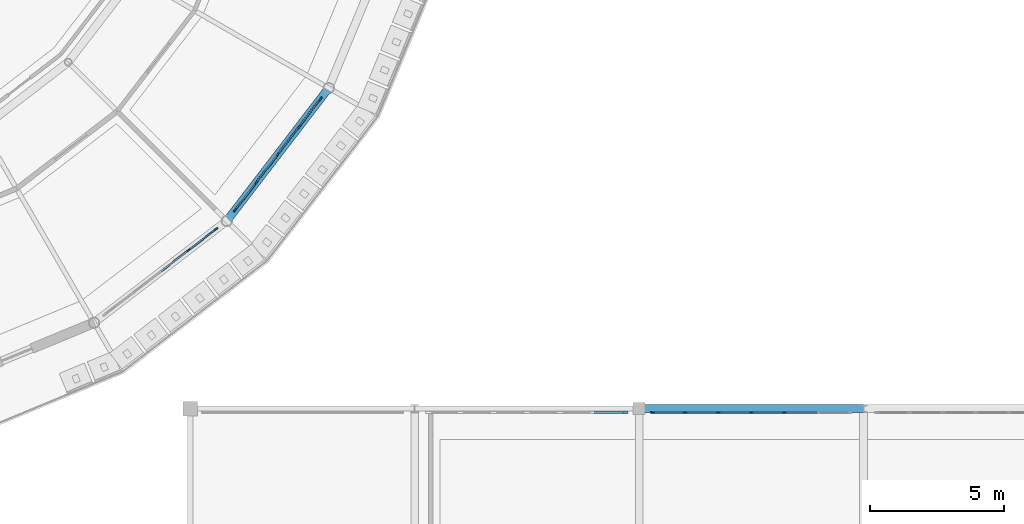
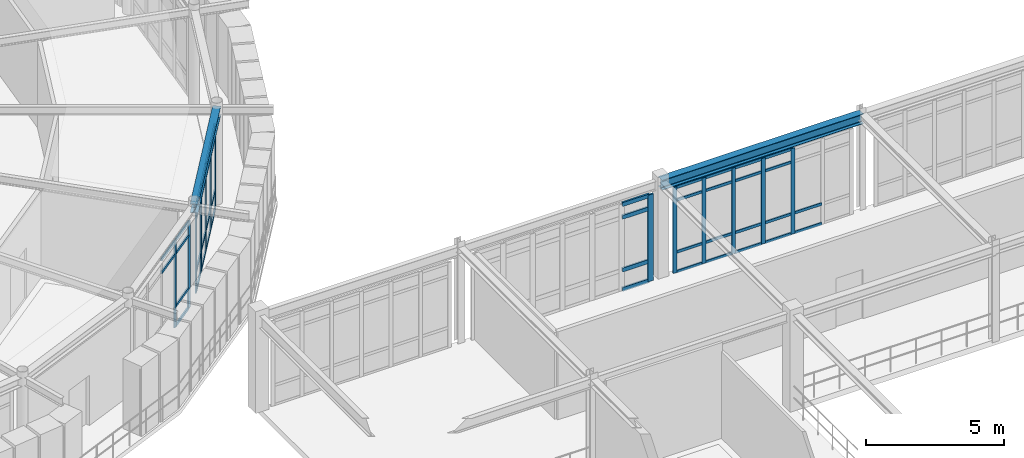
# One storey, part 41 of 106: 57 members, 2 beams, 4 elements without a shape of their own.
"""IFC4 building model written with IfcOpenShell, lengths in metres."""

from ifc_helpers import new_model, si_unit, derived_unit, direction, frame, origin, origin_2d, place, context, subcontext, project, spatial, rectangle, i_section, extrude, material, layer, layer_set, material_profile, profile_set, type_object, element, aggregate, save


model = new_model("IFC4")

# Units and contexts
model_context = context("Model", 3, precision=1e-05, world=origin(), true_north=direction((0.0, 1.0)))
body_context = subcontext(model_context, "Body", "Model", "MODEL_VIEW")
ifc_project = project(units=[si_unit("LENGTHUNIT", "METRE"), si_unit("AREAUNIT", "SQUARE_METRE"), si_unit("VOLUMEUNIT", "CUBIC_METRE"), si_unit("PLANEANGLEUNIT", "RADIAN"), si_unit("MASSUNIT", "GRAM", prefix="KILO"), derived_unit("THERMALTRANSMITTANCEUNIT", [(si_unit("POWERUNIT", "WATT"), 1), (si_unit("AREAUNIT", "SQUARE_METRE"), -1), (si_unit("THERMODYNAMICTEMPERATUREUNIT", "KELVIN"), -1)])], contexts=[model_context])

# Site, building, storey
site_placement = place(None, origin())
site = spatial("IfcSite", under=ifc_project, at=site_placement, CompositionType="ELEMENT")
building_placement = place(site_placement, origin())
building = spatial("IfcBuilding", under=site, at=building_placement, Name="Yasenodar Specialist Clinic", CompositionType="ELEMENT")
storey_placement = place(building_placement, frame((0.0, 0.0, 4.5)))
storey = spatial("IfcBuildingStorey", under=building, at=storey_placement, Name="L01", CompositionType="ELEMENT", Elevation=4.5)

# Beams
ifc_material_1 = material(Name="Steel S355", Category="steel")
ifc_material_profile_1 = material_profile(ifc_material_1, i_section(OverallWidth=0.300048828125, OverallDepth=0.389892578125, WebThickness=0.010986328125, FlangeThickness=0.01904296875, FilletRadius=0.027099609375, at=origin_2d()), Name="HEA 400")
ifc_profile_set_1 = profile_set([ifc_material_profile_1], Name="Steel S355")
beam_type_1 = type_object("IfcBeamType", Name="BM-HEA400", PredefinedType="BEAM", material=ifc_profile_set_1)
beam_1_placement = place(storey_placement, frame((97.970703125, 41.829345703125, 4.054931640625), z_axis=(0.608742360322, 0.793367971845, 0.0), x_axis=(-0.793367971845, 0.608742360322, 0.0)))
element("IfcBeam", 1, at=beam_1_placement, inside=storey, type_object=beam_type_1, Name="L01 Drum V1 Perimeter Ring Beam", PredefinedType="BEAM", context=body_context, shape_type="SweptSolid", body=[
    extrude(i_section(OverallWidth=0.300048828125, OverallDepth=0.389892578125, WebThickness=0.010986328125, FlangeThickness=0.01904296875, FilletRadius=0.027099609375, at=origin_2d()), origin(), (0.0, 0.0, 1.0), 6.265380859375),
])
ifc_material_profile_2 = material_profile(ifc_material_1, i_section(OverallWidth=0.300048828125, OverallDepth=0.43994140625, WebThickness=0.011474609375, FlangeThickness=0.02099609375, FilletRadius=0.027099609375, at=origin_2d()), Name="HEA 450")
ifc_profile_set_2 = profile_set([ifc_material_profile_2], Name="Steel S355")
beam_type_2 = type_object("IfcBeamType", Name="BM-HEA450", PredefinedType="BEAM", material=ifc_profile_set_2)
beam_2_placement = place(storey_placement, frame((113.39990234375, 34.800048828125, 4.030029296875), z_axis=(1.0, 0.0, 0.0), x_axis=(0.0, 1.0, 0.0)))
element("IfcBeam", 2, at=beam_2_placement, inside=storey, type_object=beam_type_2, Name="L01 Primary E-W Girder", PredefinedType="BEAM", context=body_context, shape_type="SweptSolid", body=[
    extrude(i_section(OverallWidth=0.300048828125, OverallDepth=0.43994140625, WebThickness=0.011474609375, FlangeThickness=0.02099609375, FilletRadius=0.027099609375, at=origin_2d()), origin(), (0.0, 0.0, 1.0), 8.400146484375),
])

# Curtain wall, members
ifc_material_2 = material(Name="Bronze Anodized Aluminium and Triple Low-E Glass", Category="aluminium")
ifc_layer_1 = layer(ifc_material_2, 0.1669921875)
ifc_layer_set_1 = layer_set([ifc_layer_1], Name="Bronze Anodized Aluminium and Triple Low-E Glass")
curtain_wall_type_1 = type_object("IfcCurtainWallType", Name="CW-SYS-01", PredefinedType="USERDEFINED", material=ifc_layer_set_1)
curtain_wall_1_placement = place(storey_placement, origin())
curtain_wall_1 = element("IfcCurtainWall", 3, at=curtain_wall_1_placement, inside=storey, type_object=curtain_wall_type_1, Name="L01 Unitised Curtain Wall 023", ObjectType="UNITISED CURTAIN WALL", PredefinedType="USERDEFINED")
ifc_material_3 = material(Name="Bronze Anodized Aluminium", Category="aluminium")
ifc_material_profile_3 = material_profile(ifc_material_3, rectangle(XDim=0.06005859375, YDim=0.159912109375, at=origin_2d()), Name="CW-MULL 60x160")
ifc_profile_set_3 = profile_set([ifc_material_profile_3], Name="Bronze Anodized Aluminium")
member_type_1 = type_object("IfcMemberType", Name="CW-MULL-160", PredefinedType="MULLION", material=ifc_profile_set_3)
member_1_placement = place(storey_placement, frame((97.56591796875, 41.51904296875, 0.0), z_axis=(0.0, 0.0, 1.0), x_axis=(0.608752021844, -0.793360558574, 0.0)))
member_1 = element("IfcMember", 4, at=member_1_placement, type_object=member_type_1, Name="CW-01 mullion 1", PredefinedType="MULLION", context=body_context, shape_type="SweptSolid", body=[
    extrude(rectangle(XDim=0.06005859375, YDim=0.159912109375, at=origin_2d()), origin(), (0.0, 0.0, 1.0), 3.837890625),
])
member_2_placement = place(storey_placement, frame((96.53759765625, 40.729736328125, 0.0), z_axis=(0.0, 0.0, 1.0), x_axis=(0.608752021844, -0.793360558574, 0.0)))
member_2 = element("IfcMember", 5, at=member_2_placement, type_object=member_type_1, Name="CW-01 mullion 2", PredefinedType="MULLION", context=body_context, shape_type="SweptSolid", body=[
    extrude(rectangle(XDim=0.06005859375, YDim=0.159912109375, at=origin_2d()), origin(), (0.0, 0.0, 1.0), 3.837890625),
])

curtain_wall_2_placement = place(storey_placement, origin())
curtain_wall_2 = element("IfcCurtainWall", 6, at=curtain_wall_2_placement, inside=storey, type_object=curtain_wall_type_1, Name="L01 Unitised Curtain Wall 024", ObjectType="UNITISED CURTAIN WALL", PredefinedType="USERDEFINED")
member_3_placement = place(storey_placement, frame((101.47412109375, 46.3955078125, 0.0), z_axis=(0.0, 0.0, 1.0), x_axis=(0.793360558574, -0.608752021844, 0.0)))
member_3 = element("IfcMember", 7, at=member_3_placement, type_object=member_type_1, Name="CW-01 mullion 1", PredefinedType="MULLION", context=body_context, shape_type="SweptSolid", body=[
    extrude(rectangle(XDim=0.06005859375, YDim=0.159912109375, at=origin_2d()), origin(), (0.0, 0.0, 1.0), 3.837890625),
])
member_4_placement = place(storey_placement, frame((100.68505859375, 45.366943359375, 0.0), z_axis=(0.0, 0.0, 1.0), x_axis=(0.793360558574, -0.608752021844, 0.0)))
member_4 = element("IfcMember", 8, at=member_4_placement, type_object=member_type_1, Name="CW-01 mullion 2", PredefinedType="MULLION", context=body_context, shape_type="SweptSolid", body=[
    extrude(rectangle(XDim=0.06005859375, YDim=0.159912109375, at=origin_2d()), origin(), (0.0, 0.0, 1.0), 3.837890625),
])
member_5_placement = place(storey_placement, frame((99.877685546875, 44.314697265625, 0.0), z_axis=(0.0, 0.0, 1.0), x_axis=(0.793360558574, -0.608752021844, 0.0)))
member_5 = element("IfcMember", 9, at=member_5_placement, type_object=member_type_1, Name="CW-01 mullion 3", PredefinedType="MULLION", context=body_context, shape_type="SweptSolid", body=[
    extrude(rectangle(XDim=0.06005859375, YDim=0.159912109375, at=origin_2d()), origin(), (0.0, 0.0, 1.0), 3.837890625),
])
member_6_placement = place(storey_placement, frame((99.0703125, 43.262451171875, 0.0), z_axis=(0.0, 0.0, 1.0), x_axis=(0.793360558574, -0.608752021844, 0.0)))
member_6 = element("IfcMember", 10, at=member_6_placement, type_object=member_type_1, Name="CW-01 mullion 4", PredefinedType="MULLION", context=body_context, shape_type="SweptSolid", body=[
    extrude(rectangle(XDim=0.06005859375, YDim=0.159912109375, at=origin_2d()), origin(), (0.0, 0.0, 1.0), 3.837890625),
])
member_7_placement = place(storey_placement, frame((98.281005859375, 42.23388671875, 0.0), z_axis=(0.0, 0.0, 1.0), x_axis=(0.793360558574, -0.608752021844, 0.0)))
member_7 = element("IfcMember", 11, at=member_7_placement, type_object=member_type_1, Name="CW-01 mullion 5", PredefinedType="MULLION", context=body_context, shape_type="SweptSolid", body=[
    extrude(rectangle(XDim=0.06005859375, YDim=0.159912109375, at=origin_2d()), origin(), (0.0, 0.0, 1.0), 3.837890625),
])

ifc_layer_2 = layer(ifc_material_2, 0.178955078125)
ifc_layer_set_2 = layer_set([ifc_layer_2], Name="Bronze Anodized Aluminium and Triple Low-E Glass")
curtain_wall_type_2 = type_object("IfcCurtainWallType", Name="CW-SYS-02", PredefinedType="USERDEFINED", material=ifc_layer_set_2)
curtain_wall_3_placement = place(storey_placement, origin())
curtain_wall_3 = element("IfcCurtainWall", 12, at=curtain_wall_3_placement, inside=storey, type_object=curtain_wall_type_2, Name="L01 Unitised Curtain Wall 096", ObjectType="UNITISED CURTAIN WALL", PredefinedType="USERDEFINED")
member_8_placement = place(storey_placement, frame((113.909912109375, 34.64990234375, 0.0), z_axis=(0.0, 0.0, 1.0), x_axis=(0.0, 1.0, 0.0)))
member_8 = element("IfcMember", 13, at=member_8_placement, type_object=member_type_1, Name="CW-02 mullion 1", PredefinedType="MULLION", context=body_context, shape_type="SweptSolid", body=[
    extrude(rectangle(XDim=0.06005859375, YDim=0.159912109375, at=origin_2d()), origin(), (0.0, 0.0, 1.0), 3.7880859375),
])
member_9_placement = place(storey_placement, frame((115.1201171875, 34.64990234375, 0.0), z_axis=(0.0, 0.0, 1.0), x_axis=(0.0, 1.0, 0.0)))
member_9 = element("IfcMember", 14, at=member_9_placement, type_object=member_type_1, Name="CW-02 mullion 2", PredefinedType="MULLION", context=body_context, shape_type="SweptSolid", body=[
    extrude(rectangle(XDim=0.06005859375, YDim=0.159912109375, at=origin_2d()), origin(), (0.0, 0.0, 1.0), 3.7880859375),
])
member_10_placement = place(storey_placement, frame((116.360107421875, 34.64990234375, 0.0), z_axis=(0.0, 0.0, 1.0), x_axis=(0.0, 1.0, 0.0)))
member_10 = element("IfcMember", 15, at=member_10_placement, type_object=member_type_1, Name="CW-02 mullion 3", PredefinedType="MULLION", context=body_context, shape_type="SweptSolid", body=[
    extrude(rectangle(XDim=0.06005859375, YDim=0.159912109375, at=origin_2d()), origin(), (0.0, 0.0, 1.0), 3.7880859375),
])
member_11_placement = place(storey_placement, frame((117.60009765625, 34.64990234375, 0.0), z_axis=(0.0, 0.0, 1.0), x_axis=(0.0, 1.0, 0.0)))
member_11 = element("IfcMember", 16, at=member_11_placement, type_object=member_type_1, Name="CW-02 mullion 4", PredefinedType="MULLION", context=body_context, shape_type="SweptSolid", body=[
    extrude(rectangle(XDim=0.06005859375, YDim=0.159912109375, at=origin_2d()), origin(), (0.0, 0.0, 1.0), 3.7880859375),
])
member_12_placement = place(storey_placement, frame((118.840087890625, 34.64990234375, 0.0), z_axis=(0.0, 0.0, 1.0), x_axis=(0.0, 1.0, 0.0)))
member_12 = element("IfcMember", 17, at=member_12_placement, type_object=member_type_1, Name="CW-02 mullion 5", PredefinedType="MULLION", context=body_context, shape_type="SweptSolid", body=[
    extrude(rectangle(XDim=0.06005859375, YDim=0.159912109375, at=origin_2d()), origin(), (0.0, 0.0, 1.0), 3.7880859375),
])

# Curtain wall, member
curtain_wall_4_placement = place(storey_placement, origin())
curtain_wall_4 = element("IfcCurtainWall", 18, at=curtain_wall_4_placement, inside=storey, type_object=curtain_wall_type_2, Name="L01 Unitised Curtain Wall 095", ObjectType="UNITISED CURTAIN WALL", PredefinedType="USERDEFINED")
ifc_material_profile_4 = material_profile(ifc_material_3, rectangle(XDim=0.074951171875, YDim=0.22509765625, at=origin_2d()), Name="CW-MULL 75x225")
ifc_profile_set_4 = profile_set([ifc_material_profile_4], Name="Bronze Anodized Aluminium")
member_type_2 = type_object("IfcMemberType", Name="CW-MULL-225", PredefinedType="MULLION", material=ifc_profile_set_4)
member_13_placement = place(storey_placement, frame((112.882568359375, 34.64990234375, 0.0), z_axis=(0.0, 0.0, 1.0), x_axis=(0.0, 1.0, 0.0)))
member_13 = element("IfcMember", 19, at=member_13_placement, type_object=member_type_2, Name="CW-02 mullion 7", PredefinedType="MULLION", context=body_context, shape_type="SweptSolid", body=[
    extrude(rectangle(XDim=0.074951171875, YDim=0.22509765625, at=origin_2d()), origin(), (0.0, 0.0, 1.0), 3.827880859375),
])

# Member
ifc_material_profile_5 = material_profile(ifc_material_3, rectangle(XDim=0.06005859375, YDim=0.1201171875, at=origin_2d()), Name="CW-TRAN 60x120")
ifc_profile_set_5 = profile_set([ifc_material_profile_5], Name="Bronze Anodized Aluminium")
member_type_3 = type_object("IfcMemberType", Name="CW-TRAN-120", PredefinedType="USERDEFINED", material=ifc_profile_set_5)
member_14_placement = place(storey_placement, frame((97.542236328125, 41.500732421875, 0.030029296875), z_axis=(-0.793364768151, -0.608746535642, 0.0), x_axis=(0.608746535642, -0.793364768151, 0.0)))
member_14 = element("IfcMember", 20, at=member_14_placement, type_object=member_type_3, Name="CW-01 transom 1.1", ObjectType="TRANSOM", PredefinedType="USERDEFINED", context=body_context, shape_type="SweptSolid", body=[
    extrude(rectangle(XDim=0.06005859375, YDim=0.1201171875, at=origin_2d()), origin(), (0.0, 0.0, 1.0), 1.236572265625),
])

member_15_placement = place(storey_placement, frame((97.542236328125, 41.500732421875, 0.89990234375), z_axis=(-0.793364768151, -0.608746535642, 0.0), x_axis=(0.608746535642, -0.793364768151, 0.0)))
member_15 = element("IfcMember", 21, at=member_15_placement, type_object=member_type_3, Name="CW-01 transom 1.2", ObjectType="TRANSOM", PredefinedType="USERDEFINED", context=body_context, shape_type="SweptSolid", body=[
    extrude(rectangle(XDim=0.06005859375, YDim=0.1201171875, at=origin_2d()), origin(), (0.0, 0.0, 1.0), 1.236572265625),
])

member_16_placement = place(storey_placement, frame((97.542236328125, 41.500732421875, 3.238037109375), z_axis=(-0.793364768151, -0.608746535642, 0.0), x_axis=(0.608746535642, -0.793364768151, 0.0)))
member_16 = element("IfcMember", 22, at=member_16_placement, type_object=member_type_3, Name="CW-01 transom 1.3", ObjectType="TRANSOM", PredefinedType="USERDEFINED", context=body_context, shape_type="SweptSolid", body=[
    extrude(rectangle(XDim=0.06005859375, YDim=0.1201171875, at=origin_2d()), origin(), (0.0, 0.0, 1.0), 1.236572265625),
])

member_17_placement = place(storey_placement, frame((97.542236328125, 41.500732421875, 3.80810546875), z_axis=(-0.793364768151, -0.608746535642, 0.0), x_axis=(0.608746535642, -0.793364768151, 0.0)))
member_17 = element("IfcMember", 23, at=member_17_placement, type_object=member_type_3, Name="CW-01 transom 1.4", ObjectType="TRANSOM", PredefinedType="USERDEFINED", context=body_context, shape_type="SweptSolid", body=[
    extrude(rectangle(XDim=0.06005859375, YDim=0.1201171875, at=origin_2d()), origin(), (0.0, 0.0, 1.0), 1.236572265625),
])

member_18_placement = place(storey_placement, frame((96.513671875, 40.71142578125, 3.238037109375), z_axis=(-0.793404604701, -0.608694614104, 0.0), x_axis=(0.608694614104, -0.793404604701, 0.0)))
member_18 = element("IfcMember", 24, at=member_18_placement, type_object=member_type_3, Name="CW-01 transom 2.3", ObjectType="TRANSOM", PredefinedType="USERDEFINED", context=body_context, shape_type="SweptSolid", body=[
    extrude(rectangle(XDim=0.06005859375, YDim=0.1201171875, at=origin_2d()), origin(), (0.0, 0.0, 1.0), 1.266357421875),
])

member_19_placement = place(storey_placement, frame((96.513671875, 40.71142578125, 3.80810546875), z_axis=(-0.793404604701, -0.608694614104, 0.0), x_axis=(0.608694614104, -0.793404604701, 0.0)))
member_19 = element("IfcMember", 25, at=member_19_placement, type_object=member_type_3, Name="CW-01 transom 2.4", ObjectType="TRANSOM", PredefinedType="USERDEFINED", context=body_context, shape_type="SweptSolid", body=[
    extrude(rectangle(XDim=0.06005859375, YDim=0.1201171875, at=origin_2d()), origin(), (0.0, 0.0, 1.0), 1.266357421875),
])

aggregate(curtain_wall_1, [member_1, member_2, member_14, member_15, member_16, member_17, member_18, member_19])

member_20_placement = place(storey_placement, frame((101.455810546875, 46.37158203125, 0.030029296875), z_axis=(-0.608717606417, -0.793386964626, 0.0), x_axis=(0.793386964626, -0.608717606417, 0.0)))
member_20 = element("IfcMember", 26, at=member_20_placement, type_object=member_type_3, Name="CW-01 transom 1.1", ObjectType="TRANSOM", PredefinedType="USERDEFINED", context=body_context, shape_type="SweptSolid", body=[
    extrude(rectangle(XDim=0.06005859375, YDim=0.1201171875, at=origin_2d()), origin(), (0.0, 0.0, 1.0), 1.236083984375),
])

member_21_placement = place(storey_placement, frame((101.455810546875, 46.37158203125, 0.89990234375), z_axis=(-0.608717606417, -0.793386964626, 0.0), x_axis=(0.793386964626, -0.608717606417, 0.0)))
member_21 = element("IfcMember", 27, at=member_21_placement, type_object=member_type_3, Name="CW-01 transom 1.2", ObjectType="TRANSOM", PredefinedType="USERDEFINED", context=body_context, shape_type="SweptSolid", body=[
    extrude(rectangle(XDim=0.06005859375, YDim=0.1201171875, at=origin_2d()), origin(), (0.0, 0.0, 1.0), 1.236083984375),
])

member_22_placement = place(storey_placement, frame((101.455810546875, 46.37158203125, 3.238037109375), z_axis=(-0.608717606417, -0.793386964626, 0.0), x_axis=(0.793386964626, -0.608717606417, 0.0)))
member_22 = element("IfcMember", 28, at=member_22_placement, type_object=member_type_3, Name="CW-01 transom 1.3", ObjectType="TRANSOM", PredefinedType="USERDEFINED", context=body_context, shape_type="SweptSolid", body=[
    extrude(rectangle(XDim=0.06005859375, YDim=0.1201171875, at=origin_2d()), origin(), (0.0, 0.0, 1.0), 1.236083984375),
])

member_23_placement = place(storey_placement, frame((101.455810546875, 46.37158203125, 3.80810546875), z_axis=(-0.608717606417, -0.793386964626, 0.0), x_axis=(0.793386964626, -0.608717606417, 0.0)))
member_23 = element("IfcMember", 29, at=member_23_placement, type_object=member_type_3, Name="CW-01 transom 1.4", ObjectType="TRANSOM", PredefinedType="USERDEFINED", context=body_context, shape_type="SweptSolid", body=[
    extrude(rectangle(XDim=0.06005859375, YDim=0.1201171875, at=origin_2d()), origin(), (0.0, 0.0, 1.0), 1.236083984375),
])

member_24_placement = place(storey_placement, frame((100.666748046875, 45.34326171875, 0.030029296875), z_axis=(-0.608722862036, -0.793382932281, 0.0), x_axis=(0.793382932281, -0.608722862036, 0.0)))
member_24 = element("IfcMember", 30, at=member_24_placement, type_object=member_type_3, Name="CW-01 transom 2.1", ObjectType="TRANSOM", PredefinedType="USERDEFINED", context=body_context, shape_type="SweptSolid", body=[
    extrude(rectangle(XDim=0.06005859375, YDim=0.1201171875, at=origin_2d()), origin(), (0.0, 0.0, 1.0), 1.2666015625),
])

member_25_placement = place(storey_placement, frame((100.666748046875, 45.34326171875, 0.89990234375), z_axis=(-0.608722862036, -0.793382932281, 0.0), x_axis=(0.793382932281, -0.608722862036, 0.0)))
member_25 = element("IfcMember", 31, at=member_25_placement, type_object=member_type_3, Name="CW-01 transom 2.2", ObjectType="TRANSOM", PredefinedType="USERDEFINED", context=body_context, shape_type="SweptSolid", body=[
    extrude(rectangle(XDim=0.06005859375, YDim=0.1201171875, at=origin_2d()), origin(), (0.0, 0.0, 1.0), 1.2666015625),
])

member_26_placement = place(storey_placement, frame((100.666748046875, 45.34326171875, 3.238037109375), z_axis=(-0.608722862036, -0.793382932281, 0.0), x_axis=(0.793382932281, -0.608722862036, 0.0)))
member_26 = element("IfcMember", 32, at=member_26_placement, type_object=member_type_3, Name="CW-01 transom 2.3", ObjectType="TRANSOM", PredefinedType="USERDEFINED", context=body_context, shape_type="SweptSolid", body=[
    extrude(rectangle(XDim=0.06005859375, YDim=0.1201171875, at=origin_2d()), origin(), (0.0, 0.0, 1.0), 1.2666015625),
])

member_27_placement = place(storey_placement, frame((100.666748046875, 45.34326171875, 3.80810546875), z_axis=(-0.608722862036, -0.793382932281, 0.0), x_axis=(0.793382932281, -0.608722862036, 0.0)))
member_27 = element("IfcMember", 33, at=member_27_placement, type_object=member_type_3, Name="CW-01 transom 2.4", ObjectType="TRANSOM", PredefinedType="USERDEFINED", context=body_context, shape_type="SweptSolid", body=[
    extrude(rectangle(XDim=0.06005859375, YDim=0.1201171875, at=origin_2d()), origin(), (0.0, 0.0, 1.0), 1.2666015625),
])

member_28_placement = place(storey_placement, frame((99.859375, 44.291015625, 0.030029296875), z_axis=(-0.608722862036, -0.793382932281, 0.0), x_axis=(0.793382932281, -0.608722862036, 0.0)))
member_28 = element("IfcMember", 34, at=member_28_placement, type_object=member_type_3, Name="CW-01 transom 3.1", ObjectType="TRANSOM", PredefinedType="USERDEFINED", context=body_context, shape_type="SweptSolid", body=[
    extrude(rectangle(XDim=0.06005859375, YDim=0.1201171875, at=origin_2d()), origin(), (0.0, 0.0, 1.0), 1.2666015625),
])

member_29_placement = place(storey_placement, frame((99.859375, 44.291015625, 0.89990234375), z_axis=(-0.608722862036, -0.793382932281, 0.0), x_axis=(0.793382932281, -0.608722862036, 0.0)))
member_29 = element("IfcMember", 35, at=member_29_placement, type_object=member_type_3, Name="CW-01 transom 3.2", ObjectType="TRANSOM", PredefinedType="USERDEFINED", context=body_context, shape_type="SweptSolid", body=[
    extrude(rectangle(XDim=0.06005859375, YDim=0.1201171875, at=origin_2d()), origin(), (0.0, 0.0, 1.0), 1.2666015625),
])

member_30_placement = place(storey_placement, frame((99.859375, 44.291015625, 3.238037109375), z_axis=(-0.608722862036, -0.793382932281, 0.0), x_axis=(0.793382932281, -0.608722862036, 0.0)))
member_30 = element("IfcMember", 36, at=member_30_placement, type_object=member_type_3, Name="CW-01 transom 3.3", ObjectType="TRANSOM", PredefinedType="USERDEFINED", context=body_context, shape_type="SweptSolid", body=[
    extrude(rectangle(XDim=0.06005859375, YDim=0.1201171875, at=origin_2d()), origin(), (0.0, 0.0, 1.0), 1.2666015625),
])

member_31_placement = place(storey_placement, frame((99.859375, 44.291015625, 3.80810546875), z_axis=(-0.608722862036, -0.793382932281, 0.0), x_axis=(0.793382932281, -0.608722862036, 0.0)))
member_31 = element("IfcMember", 37, at=member_31_placement, type_object=member_type_3, Name="CW-01 transom 3.4", ObjectType="TRANSOM", PredefinedType="USERDEFINED", context=body_context, shape_type="SweptSolid", body=[
    extrude(rectangle(XDim=0.06005859375, YDim=0.1201171875, at=origin_2d()), origin(), (0.0, 0.0, 1.0), 1.2666015625),
])

member_32_placement = place(storey_placement, frame((99.052001953125, 43.23876953125, 0.030029296875), z_axis=(-0.608746535642, -0.793364768151, 0.0), x_axis=(0.793364768151, -0.608746535642, 0.0)))
member_32 = element("IfcMember", 38, at=member_32_placement, type_object=member_type_3, Name="CW-01 transom 4.1", ObjectType="TRANSOM", PredefinedType="USERDEFINED", context=body_context, shape_type="SweptSolid", body=[
    extrude(rectangle(XDim=0.06005859375, YDim=0.1201171875, at=origin_2d()), origin(), (0.0, 0.0, 1.0), 1.236572265625),
])

member_33_placement = place(storey_placement, frame((99.052001953125, 43.23876953125, 0.89990234375), z_axis=(-0.608746535642, -0.793364768151, 0.0), x_axis=(0.793364768151, -0.608746535642, 0.0)))
member_33 = element("IfcMember", 39, at=member_33_placement, type_object=member_type_3, Name="CW-01 transom 4.2", ObjectType="TRANSOM", PredefinedType="USERDEFINED", context=body_context, shape_type="SweptSolid", body=[
    extrude(rectangle(XDim=0.06005859375, YDim=0.1201171875, at=origin_2d()), origin(), (0.0, 0.0, 1.0), 1.236572265625),
])

member_34_placement = place(storey_placement, frame((99.052001953125, 43.23876953125, 3.238037109375), z_axis=(-0.608746535642, -0.793364768151, 0.0), x_axis=(0.793364768151, -0.608746535642, 0.0)))
member_34 = element("IfcMember", 40, at=member_34_placement, type_object=member_type_3, Name="CW-01 transom 4.3", ObjectType="TRANSOM", PredefinedType="USERDEFINED", context=body_context, shape_type="SweptSolid", body=[
    extrude(rectangle(XDim=0.06005859375, YDim=0.1201171875, at=origin_2d()), origin(), (0.0, 0.0, 1.0), 1.236572265625),
])

member_35_placement = place(storey_placement, frame((99.052001953125, 43.23876953125, 3.80810546875), z_axis=(-0.608746535642, -0.793364768151, 0.0), x_axis=(0.793364768151, -0.608746535642, 0.0)))
member_35 = element("IfcMember", 41, at=member_35_placement, type_object=member_type_3, Name="CW-01 transom 4.4", ObjectType="TRANSOM", PredefinedType="USERDEFINED", context=body_context, shape_type="SweptSolid", body=[
    extrude(rectangle(XDim=0.06005859375, YDim=0.1201171875, at=origin_2d()), origin(), (0.0, 0.0, 1.0), 1.236572265625),
])

aggregate(curtain_wall_2, [member_3, member_4, member_5, member_6, member_7, member_20, member_21, member_22, member_23, member_24, member_25, member_26, member_27, member_28, member_29, member_30, member_31, member_32, member_33, member_34, member_35])

member_36_placement = place(storey_placement, frame((113.93994140625, 34.64990234375, 0.030029296875), z_axis=(1.0, 0.0, 0.0), x_axis=(0.0, 1.0, 0.0)))
member_36 = element("IfcMember", 42, at=member_36_placement, type_object=member_type_3, Name="CW-02 transom 1.1", ObjectType="TRANSOM", PredefinedType="USERDEFINED", context=body_context, shape_type="SweptSolid", body=[
    extrude(rectangle(XDim=0.06005859375, YDim=0.1201171875, at=origin_2d()), origin(), (0.0, 0.0, 1.0), 1.150146484375),
])

member_37_placement = place(storey_placement, frame((113.93994140625, 34.64990234375, 0.89990234375), z_axis=(1.0, 0.0, 0.0), x_axis=(0.0, 1.0, 0.0)))
member_37 = element("IfcMember", 43, at=member_37_placement, type_object=member_type_3, Name="CW-02 transom 1.2", ObjectType="TRANSOM", PredefinedType="USERDEFINED", context=body_context, shape_type="SweptSolid", body=[
    extrude(rectangle(XDim=0.06005859375, YDim=0.1201171875, at=origin_2d()), origin(), (0.0, 0.0, 1.0), 1.150146484375),
])

member_38_placement = place(storey_placement, frame((113.93994140625, 34.64990234375, 3.18798828125), z_axis=(1.0, 0.0, 0.0), x_axis=(0.0, 1.0, 0.0)))
member_38 = element("IfcMember", 44, at=member_38_placement, type_object=member_type_3, Name="CW-02 transom 1.3", ObjectType="TRANSOM", PredefinedType="USERDEFINED", context=body_context, shape_type="SweptSolid", body=[
    extrude(rectangle(XDim=0.06005859375, YDim=0.1201171875, at=origin_2d()), origin(), (0.0, 0.0, 1.0), 1.150146484375),
])

member_39_placement = place(storey_placement, frame((113.93994140625, 34.64990234375, 3.758056640625), z_axis=(1.0, 0.0, 0.0), x_axis=(0.0, 1.0, 0.0)))
member_39 = element("IfcMember", 45, at=member_39_placement, type_object=member_type_3, Name="CW-02 transom 1.4", ObjectType="TRANSOM", PredefinedType="USERDEFINED", context=body_context, shape_type="SweptSolid", body=[
    extrude(rectangle(XDim=0.06005859375, YDim=0.1201171875, at=origin_2d()), origin(), (0.0, 0.0, 1.0), 1.150146484375),
])

member_40_placement = place(storey_placement, frame((115.14990234375, 34.64990234375, 0.030029296875), z_axis=(1.0, 0.0, 0.0), x_axis=(0.0, 1.0, 0.0)))
member_40 = element("IfcMember", 46, at=member_40_placement, type_object=member_type_3, Name="CW-02 transom 2.1", ObjectType="TRANSOM", PredefinedType="USERDEFINED", context=body_context, shape_type="SweptSolid", body=[
    extrude(rectangle(XDim=0.06005859375, YDim=0.1201171875, at=origin_2d()), origin(), (0.0, 0.0, 1.0), 1.18017578125),
])

member_41_placement = place(storey_placement, frame((115.14990234375, 34.64990234375, 0.89990234375), z_axis=(1.0, 0.0, 0.0), x_axis=(0.0, 1.0, 0.0)))
member_41 = element("IfcMember", 47, at=member_41_placement, type_object=member_type_3, Name="CW-02 transom 2.2", ObjectType="TRANSOM", PredefinedType="USERDEFINED", context=body_context, shape_type="SweptSolid", body=[
    extrude(rectangle(XDim=0.06005859375, YDim=0.1201171875, at=origin_2d()), origin(), (0.0, 0.0, 1.0), 1.18017578125),
])

member_42_placement = place(storey_placement, frame((115.14990234375, 34.64990234375, 3.18798828125), z_axis=(1.0, 0.0, 0.0), x_axis=(0.0, 1.0, 0.0)))
member_42 = element("IfcMember", 48, at=member_42_placement, type_object=member_type_3, Name="CW-02 transom 2.3", ObjectType="TRANSOM", PredefinedType="USERDEFINED", context=body_context, shape_type="SweptSolid", body=[
    extrude(rectangle(XDim=0.06005859375, YDim=0.1201171875, at=origin_2d()), origin(), (0.0, 0.0, 1.0), 1.18017578125),
])

member_43_placement = place(storey_placement, frame((115.14990234375, 34.64990234375, 3.758056640625), z_axis=(1.0, 0.0, 0.0), x_axis=(0.0, 1.0, 0.0)))
member_43 = element("IfcMember", 49, at=member_43_placement, type_object=member_type_3, Name="CW-02 transom 2.4", ObjectType="TRANSOM", PredefinedType="USERDEFINED", context=body_context, shape_type="SweptSolid", body=[
    extrude(rectangle(XDim=0.06005859375, YDim=0.1201171875, at=origin_2d()), origin(), (0.0, 0.0, 1.0), 1.18017578125),
])

member_44_placement = place(storey_placement, frame((116.389892578125, 34.64990234375, 0.030029296875), z_axis=(1.0, 0.0, 0.0), x_axis=(0.0, 1.0, 0.0)))
member_44 = element("IfcMember", 50, at=member_44_placement, type_object=member_type_3, Name="CW-02 transom 3.1", ObjectType="TRANSOM", PredefinedType="USERDEFINED", context=body_context, shape_type="SweptSolid", body=[
    extrude(rectangle(XDim=0.06005859375, YDim=0.1201171875, at=origin_2d()), origin(), (0.0, 0.0, 1.0), 1.18017578125),
])

member_45_placement = place(storey_placement, frame((116.389892578125, 34.64990234375, 0.89990234375), z_axis=(1.0, 0.0, 0.0), x_axis=(0.0, 1.0, 0.0)))
member_45 = element("IfcMember", 51, at=member_45_placement, type_object=member_type_3, Name="CW-02 transom 3.2", ObjectType="TRANSOM", PredefinedType="USERDEFINED", context=body_context, shape_type="SweptSolid", body=[
    extrude(rectangle(XDim=0.06005859375, YDim=0.1201171875, at=origin_2d()), origin(), (0.0, 0.0, 1.0), 1.18017578125),
])

member_46_placement = place(storey_placement, frame((116.389892578125, 34.64990234375, 3.18798828125), z_axis=(1.0, 0.0, 0.0), x_axis=(0.0, 1.0, 0.0)))
member_46 = element("IfcMember", 52, at=member_46_placement, type_object=member_type_3, Name="CW-02 transom 3.3", ObjectType="TRANSOM", PredefinedType="USERDEFINED", context=body_context, shape_type="SweptSolid", body=[
    extrude(rectangle(XDim=0.06005859375, YDim=0.1201171875, at=origin_2d()), origin(), (0.0, 0.0, 1.0), 1.18017578125),
])

member_47_placement = place(storey_placement, frame((116.389892578125, 34.64990234375, 3.758056640625), z_axis=(1.0, 0.0, 0.0), x_axis=(0.0, 1.0, 0.0)))
member_47 = element("IfcMember", 53, at=member_47_placement, type_object=member_type_3, Name="CW-02 transom 3.4", ObjectType="TRANSOM", PredefinedType="USERDEFINED", context=body_context, shape_type="SweptSolid", body=[
    extrude(rectangle(XDim=0.06005859375, YDim=0.1201171875, at=origin_2d()), origin(), (0.0, 0.0, 1.0), 1.18017578125),
])

member_48_placement = place(storey_placement, frame((117.6298828125, 34.64990234375, 0.030029296875), z_axis=(1.0, 0.0, 0.0), x_axis=(0.0, 1.0, 0.0)))
member_48 = element("IfcMember", 54, at=member_48_placement, type_object=member_type_3, Name="CW-02 transom 4.1", ObjectType="TRANSOM", PredefinedType="USERDEFINED", context=body_context, shape_type="SweptSolid", body=[
    extrude(rectangle(XDim=0.06005859375, YDim=0.1201171875, at=origin_2d()), origin(), (0.0, 0.0, 1.0), 1.18017578125),
])

member_49_placement = place(storey_placement, frame((117.6298828125, 34.64990234375, 0.89990234375), z_axis=(1.0, 0.0, 0.0), x_axis=(0.0, 1.0, 0.0)))
member_49 = element("IfcMember", 55, at=member_49_placement, type_object=member_type_3, Name="CW-02 transom 4.2", ObjectType="TRANSOM", PredefinedType="USERDEFINED", context=body_context, shape_type="SweptSolid", body=[
    extrude(rectangle(XDim=0.06005859375, YDim=0.1201171875, at=origin_2d()), origin(), (0.0, 0.0, 1.0), 1.18017578125),
])

member_50_placement = place(storey_placement, frame((117.6298828125, 34.64990234375, 3.18798828125), z_axis=(1.0, 0.0, 0.0), x_axis=(0.0, 1.0, 0.0)))
member_50 = element("IfcMember", 56, at=member_50_placement, type_object=member_type_3, Name="CW-02 transom 4.3", ObjectType="TRANSOM", PredefinedType="USERDEFINED", context=body_context, shape_type="SweptSolid", body=[
    extrude(rectangle(XDim=0.06005859375, YDim=0.1201171875, at=origin_2d()), origin(), (0.0, 0.0, 1.0), 1.18017578125),
])

member_51_placement = place(storey_placement, frame((117.6298828125, 34.64990234375, 3.758056640625), z_axis=(1.0, 0.0, 0.0), x_axis=(0.0, 1.0, 0.0)))
member_51 = element("IfcMember", 57, at=member_51_placement, type_object=member_type_3, Name="CW-02 transom 4.4", ObjectType="TRANSOM", PredefinedType="USERDEFINED", context=body_context, shape_type="SweptSolid", body=[
    extrude(rectangle(XDim=0.06005859375, YDim=0.1201171875, at=origin_2d()), origin(), (0.0, 0.0, 1.0), 1.18017578125),
])

member_52_placement = place(storey_placement, frame((118.8701171875, 34.64990234375, 0.030029296875), z_axis=(1.0, 0.0, 0.0), x_axis=(0.0, 1.0, 0.0)))
member_52 = element("IfcMember", 58, at=member_52_placement, type_object=member_type_3, Name="CW-02 transom 5.1", ObjectType="TRANSOM", PredefinedType="USERDEFINED", context=body_context, shape_type="SweptSolid", body=[
    extrude(rectangle(XDim=0.06005859375, YDim=0.1201171875, at=origin_2d()), origin(), (0.0, 0.0, 1.0), 1.179931640625),
])

member_53_placement = place(storey_placement, frame((118.8701171875, 34.64990234375, 0.89990234375), z_axis=(1.0, 0.0, 0.0), x_axis=(0.0, 1.0, 0.0)))
member_53 = element("IfcMember", 59, at=member_53_placement, type_object=member_type_3, Name="CW-02 transom 5.2", ObjectType="TRANSOM", PredefinedType="USERDEFINED", context=body_context, shape_type="SweptSolid", body=[
    extrude(rectangle(XDim=0.06005859375, YDim=0.1201171875, at=origin_2d()), origin(), (0.0, 0.0, 1.0), 1.179931640625),
])

aggregate(curtain_wall_3, [member_8, member_9, member_10, member_11, member_12, member_36, member_37, member_38, member_39, member_40, member_41, member_42, member_43, member_44, member_45, member_46, member_47, member_48, member_49, member_50, member_51, member_52, member_53])

ifc_material_profile_6 = material_profile(ifc_material_3, rectangle(XDim=0.074951171875, YDim=0.175048828125, at=origin_2d()), Name="CW-TRAN 75x175")
ifc_profile_set_6 = profile_set([ifc_material_profile_6], Name="Bronze Anodized Aluminium")
member_type_4 = type_object("IfcMemberType", Name="CW-TRAN-175", PredefinedType="USERDEFINED", material=ifc_profile_set_6)
member_54_placement = place(storey_placement, frame((111.717529296875, 34.64990234375, 0.03759765625), z_axis=(1.0, 0.0, 0.0), x_axis=(0.0, 1.0, 0.0)))
member_54 = element("IfcMember", 60, at=member_54_placement, type_object=member_type_4, Name="CW-02 transom 6.1", ObjectType="TRANSOM", PredefinedType="USERDEFINED", context=body_context, shape_type="SweptSolid", body=[
    extrude(rectangle(XDim=0.074951171875, YDim=0.175048828125, at=origin_2d()), origin(), (0.0, 0.0, 1.0), 1.12744140625),
])

member_55_placement = place(storey_placement, frame((111.717529296875, 34.64990234375, 0.89990234375), z_axis=(1.0, 0.0, 0.0), x_axis=(0.0, 1.0, 0.0)))
member_55 = element("IfcMember", 61, at=member_55_placement, type_object=member_type_4, Name="CW-02 transom 6.2", ObjectType="TRANSOM", PredefinedType="USERDEFINED", context=body_context, shape_type="SweptSolid", body=[
    extrude(rectangle(XDim=0.074951171875, YDim=0.175048828125, at=origin_2d()), origin(), (0.0, 0.0, 1.0), 1.12744140625),
])

member_56_placement = place(storey_placement, frame((111.717529296875, 34.64990234375, 3.22802734375), z_axis=(1.0, 0.0, 0.0), x_axis=(0.0, 1.0, 0.0)))
member_56 = element("IfcMember", 62, at=member_56_placement, type_object=member_type_4, Name="CW-02 transom 6.3", ObjectType="TRANSOM", PredefinedType="USERDEFINED", context=body_context, shape_type="SweptSolid", body=[
    extrude(rectangle(XDim=0.074951171875, YDim=0.175048828125, at=origin_2d()), origin(), (0.0, 0.0, 1.0), 1.12744140625),
])

member_57_placement = place(storey_placement, frame((111.717529296875, 34.64990234375, 3.79052734375), z_axis=(1.0, 0.0, 0.0), x_axis=(0.0, 1.0, 0.0)))
member_57 = element("IfcMember", 63, at=member_57_placement, type_object=member_type_4, Name="CW-02 transom 6.4", ObjectType="TRANSOM", PredefinedType="USERDEFINED", context=body_context, shape_type="SweptSolid", body=[
    extrude(rectangle(XDim=0.074951171875, YDim=0.175048828125, at=origin_2d()), origin(), (0.0, 0.0, 1.0), 1.12744140625),
])

aggregate(curtain_wall_4, [member_13, member_54, member_55, member_56, member_57])

save(model, "model.ifc")
